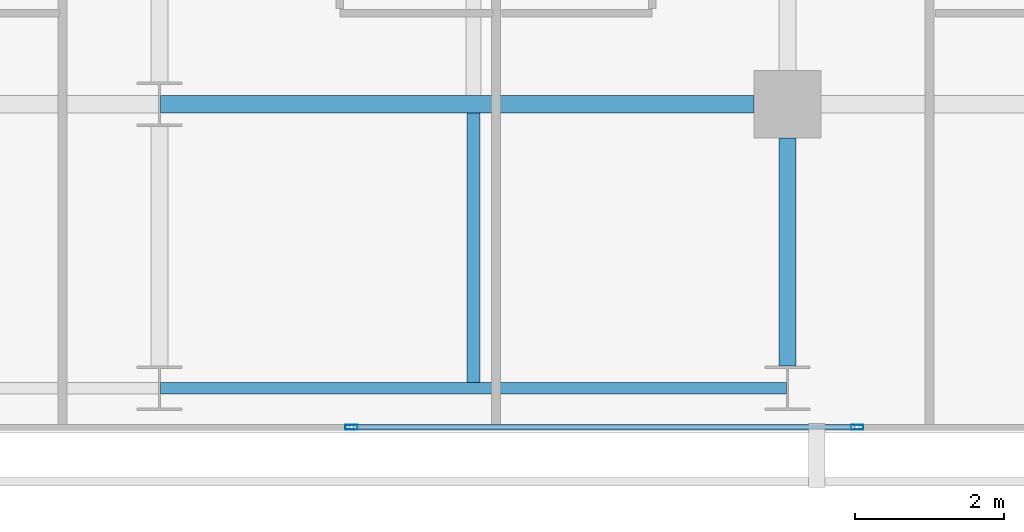
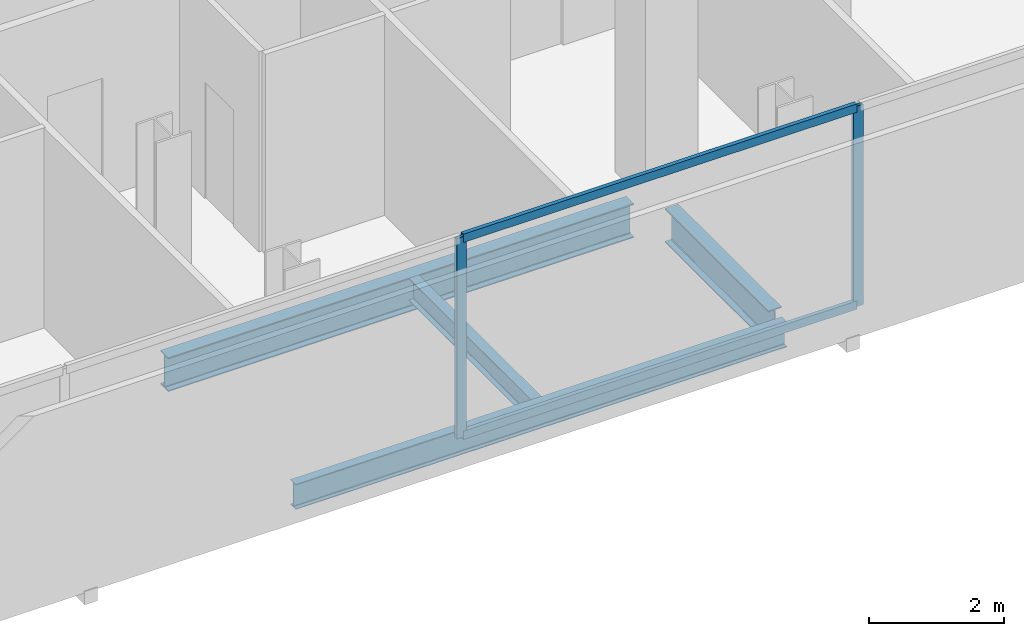
# One storey, part 12 of 34: 4 beams, 4 members, 1 element without a shape of its own.
"""IFC4 building model written with IfcOpenShell, lengths in metres."""

from ifc_helpers import new_model, si_unit, direction, frame, origin, origin_2d, place, context, subcontext, project, spatial, hollow_rectangle, i_section, extrude, material, layer, layer_set, material_profile, profile_set, type_object, element, aggregate, save


model = new_model("IFC4")

# Units and contexts
model_context = context("Model", 3, precision=1e-05, world=origin(), true_north=direction((0.0, 1.0)))
body_context = subcontext(model_context, "Body", "Model", "MODEL_VIEW")
ifc_project = project(units=[si_unit("LENGTHUNIT", "METRE"), si_unit("AREAUNIT", "SQUARE_METRE"), si_unit("VOLUMEUNIT", "CUBIC_METRE"), si_unit("PLANEANGLEUNIT", "RADIAN"), si_unit("MASSUNIT", "GRAM", prefix="KILO")], contexts=[model_context])

# Site, building, storey
site_placement = place(None, origin())
site = spatial("IfcSite", under=ifc_project, at=site_placement, CompositionType="ELEMENT")
building_placement = place(site_placement, origin())
building = spatial("IfcBuilding", under=site, at=building_placement, Name="Maruvema Waterfront Hotel and Observation Tower", CompositionType="ELEMENT")
storey_placement = place(building_placement, frame((0.0, 0.0, 131.25)))
storey = spatial("IfcBuildingStorey", under=building, at=storey_placement, Name="L31", CompositionType="ELEMENT", Elevation=131.25)

# Curtain wall, members
ifc_material_1 = material(Name="Anodised bronze aluminium and solar-control low-E IGU", Category="aluminium")
ifc_layer = layer(ifc_material_1, 0.159912109375, Name="Zone 2 Amber Inner Thermal Curtain Wall System CW-03")
ifc_layer_set = layer_set([ifc_layer], Name="Anodised bronze aluminium and solar-control low-E IGU")
curtain_wall_type = type_object("IfcCurtainWallType", Name="Zone 2 Amber Inner Thermal Curtain Wall System CW-03", PredefinedType="USERDEFINED", material=ifc_layer_set)
curtain_wall_placement = place(storey_placement, origin())
curtain_wall = element("IfcCurtainWall", 1, at=curtain_wall_placement, inside=storey, type_object=curtain_wall_type, Name="L31 Curtain Wall CW-L31-S", ObjectType="UNITISED CURTAIN WALL", PredefinedType="USERDEFINED")
ifc_material_2 = material(Name="Anodised architectural bronze aluminium", Category="aluminium")
ifc_material_profile_1 = material_profile(ifc_material_2, hollow_rectangle(XDim=0.070068359375, YDim=0.14990234375, WallThickness=0.00390625, at=origin_2d()), Name="ALU-T70x150")
ifc_profile_set_1 = profile_set([ifc_material_profile_1], Name="Anodised architectural bronze aluminium")
member_type_1 = type_object("IfcMemberType", Name="Curtain Wall Horizontal Transom ALU-T70x150", PredefinedType="USERDEFINED", material=ifc_profile_set_1)
member_1_placement = place(storey_placement, frame((44.5966796875, 4.679931640625, 0.030029296875), z_axis=(1.0, 0.0, 0.0), x_axis=(0.0, 1.0, 0.0)))
member_1 = element("IfcMember", 2, at=member_1_placement, type_object=member_type_1, Name="CW-03 transom 5.1", ObjectType="TRANSOM", PredefinedType="USERDEFINED", context=body_context, shape_type="SweptSolid", body=[
    extrude(hollow_rectangle(XDim=0.070068359375, YDim=0.14990234375, WallThickness=0.00390625, at=origin_2d()), origin(), (0.0, 0.0, 1.0), 6.70654296875),
])
member_2_placement = place(storey_placement, frame((44.5966796875, 4.679931640625, 3.580078125), z_axis=(1.0, 0.0, 0.0), x_axis=(0.0, 1.0, 0.0)))
member_2 = element("IfcMember", 3, at=member_2_placement, type_object=member_type_1, Name="CW-03 transom 5.2", ObjectType="TRANSOM", PredefinedType="USERDEFINED", context=body_context, shape_type="SweptSolid", body=[
    extrude(hollow_rectangle(XDim=0.070068359375, YDim=0.14990234375, WallThickness=0.00390625, at=origin_2d()), origin(), (0.0, 0.0, 1.0), 6.70654296875),
])
ifc_material_3 = material(Name="Anodised architectural bronze aluminium", Category="aluminium")
ifc_material_profile_2 = material_profile(ifc_material_3, hollow_rectangle(XDim=0.06494140625, YDim=0.1650390625, WallThickness=0.00390625, at=origin_2d()), Name="ALU-M65x165")
ifc_profile_set_2 = profile_set([ifc_material_profile_2], Name="Anodised architectural bronze aluminium")
member_type_2 = type_object("IfcMemberType", Name="Curtain Wall Primary Mullion ALU-M65x165", PredefinedType="MULLION", material=ifc_profile_set_2)
member_3_placement = place(storey_placement, frame((44.566650390625, 4.679931640625, 0.0), z_axis=(0.0, 0.0, 1.0), x_axis=(0.0, 1.0, 0.0)))
member_3 = element("IfcMember", 4, at=member_3_placement, type_object=member_type_2, Name="CW-03 mullion 5", PredefinedType="MULLION", context=body_context, shape_type="SweptSolid", body=[
    extrude(hollow_rectangle(XDim=0.06494140625, YDim=0.1650390625, WallThickness=0.00390625, at=origin_2d()), origin(), (0.0, 0.0, 1.0), 3.610107421875),
])
member_4_placement = place(storey_placement, frame((51.333251953125, 4.679931640625, 0.0), z_axis=(0.0, 0.0, 1.0), x_axis=(0.0, 1.0, 0.0)))
member_4 = element("IfcMember", 5, at=member_4_placement, type_object=member_type_2, Name="CW-03 mullion 6", PredefinedType="MULLION", context=body_context, shape_type="SweptSolid", body=[
    extrude(hollow_rectangle(XDim=0.06494140625, YDim=0.1650390625, WallThickness=0.00390625, at=origin_2d()), origin(), (0.0, 0.0, 1.0), 3.610107421875),
])
aggregate(curtain_wall, [member_3, member_4, member_1, member_2])

# Beams
ifc_material_4 = material(Name="Steel ASTM A572 Grade 50", Category="steel")
ifc_material_profile_3 = material_profile(ifc_material_4, i_section(OverallWidth=0.153076171875, OverallDepth=0.455078125, WebThickness=0.008056640625, FlangeThickness=0.01318359375, FilletRadius=0.014892578125, at=origin_2d()), Name="W460x60.0")
ifc_profile_set_3 = profile_set([ifc_material_profile_3], Name="Steel ASTM A572 Grade 50")
beam_type_1 = type_object("IfcBeamType", Name="Perimeter Spandrel Beam W460x60.0", PredefinedType="SPANDREL", material=ifc_profile_set_3)
beam_1_placement = place(storey_placement, frame((42.012451171875, 5.199951171875, -0.467529296875), z_axis=(1.0, 0.0, 0.0), x_axis=(0.0, 1.0, 0.0)))
element("IfcBeam", 6, at=beam_1_placement, inside=storey, type_object=beam_type_1, Name="L31 Floor Girder EW-03", PredefinedType="SPANDREL", context=body_context, shape_type="SweptSolid", body=[
    extrude(i_section(OverallWidth=0.153076171875, OverallDepth=0.455078125, WebThickness=0.008056640625, FlangeThickness=0.01318359375, FilletRadius=0.014892578125, at=origin_2d()), origin(), (0.0, 0.0, 1.0), 8.375),
])
ifc_material_5 = material(Name="Steel ASTM A572 Grade 50", Category="steel")
ifc_material_profile_4 = material_profile(ifc_material_5, i_section(OverallWidth=0.22900390625, OverallDepth=0.612060546875, WebThickness=0.011962890625, FlangeThickness=0.01953125, FilletRadius=0.01806640625, at=origin_2d()), Name="W610x125.0")
ifc_profile_set_4 = profile_set([ifc_material_profile_4], Name="Steel ASTM A572 Grade 50")
beam_type_2 = type_object("IfcBeamType", Name="Primary Floor Girder W610x125.0", PredefinedType="BEAM", material=ifc_profile_set_4)
beam_2_placement = place(storey_placement, frame((42.012451171875, 9.0, -0.5458984375), z_axis=(1.0, 0.0, 0.0), x_axis=(0.0, 1.0, 0.0)))
element("IfcBeam", 7, at=beam_2_placement, inside=storey, type_object=beam_type_2, Name="L31 Floor Girder EW-08", PredefinedType="BEAM", context=body_context, shape_type="SweptSolid", body=[
    extrude(i_section(OverallWidth=0.22900390625, OverallDepth=0.612060546875, WebThickness=0.011962890625, FlangeThickness=0.01953125, FilletRadius=0.01806640625, at=origin_2d()), origin(), (0.0, 0.0, 1.0), 7.9375),
])
beam_3_placement = place(storey_placement, frame((50.39990234375, 5.5, -0.5458984375), z_axis=(0.0, 1.0, 0.0), x_axis=(-1.0, 0.0, 0.0)))
element("IfcBeam", 8, at=beam_3_placement, inside=storey, type_object=beam_type_2, Name="L31 Floor Girder NS-20", PredefinedType="BEAM", context=body_context, shape_type="SweptSolid", body=[
    extrude(i_section(OverallWidth=0.22900390625, OverallDepth=0.612060546875, WebThickness=0.011962890625, FlangeThickness=0.01953125, FilletRadius=0.01806640625, at=origin_2d()), origin(), (0.0, 0.0, 1.0), 3.050048828125),
])
ifc_material_6 = material(Name="Steel ASTM A572 Grade 50", Category="steel")
ifc_material_profile_5 = material_profile(ifc_material_6, i_section(OverallWidth=0.177001953125, OverallDepth=0.403076171875, WebThickness=0.007568359375, FlangeThickness=0.010986328125, FilletRadius=0.014892578125, at=origin_2d()), Name="W410x53.0")
ifc_profile_set_5 = profile_set([ifc_material_profile_5], Name="Steel ASTM A572 Grade 50")
beam_type_3 = type_object("IfcBeamType", Name="Secondary Floor Joist W410x53.0", PredefinedType="JOIST", material=ifc_profile_set_5)
beam_4_placement = place(storey_placement, frame((46.199951171875, 5.276611328125, -0.44140625), z_axis=(0.0, 1.0, 0.0), x_axis=(-1.0, 0.0, 0.0)))
element("IfcBeam", 9, at=beam_4_placement, inside=storey, type_object=beam_type_3, Name="L31 Secondary Floor Joist JS-09", PredefinedType="JOIST", context=body_context, shape_type="SweptSolid", body=[
    extrude(i_section(OverallWidth=0.177001953125, OverallDepth=0.403076171875, WebThickness=0.007568359375, FlangeThickness=0.010986328125, FilletRadius=0.014892578125, at=origin_2d()), origin(), (0.0, 0.0, 1.0), 3.60888671875),
])

save(model, "model.ifc")
